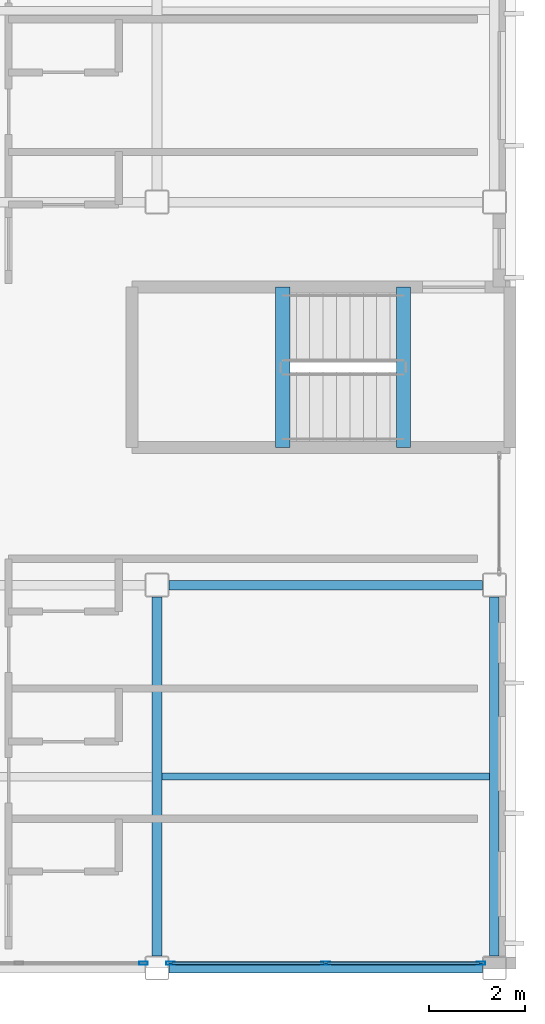
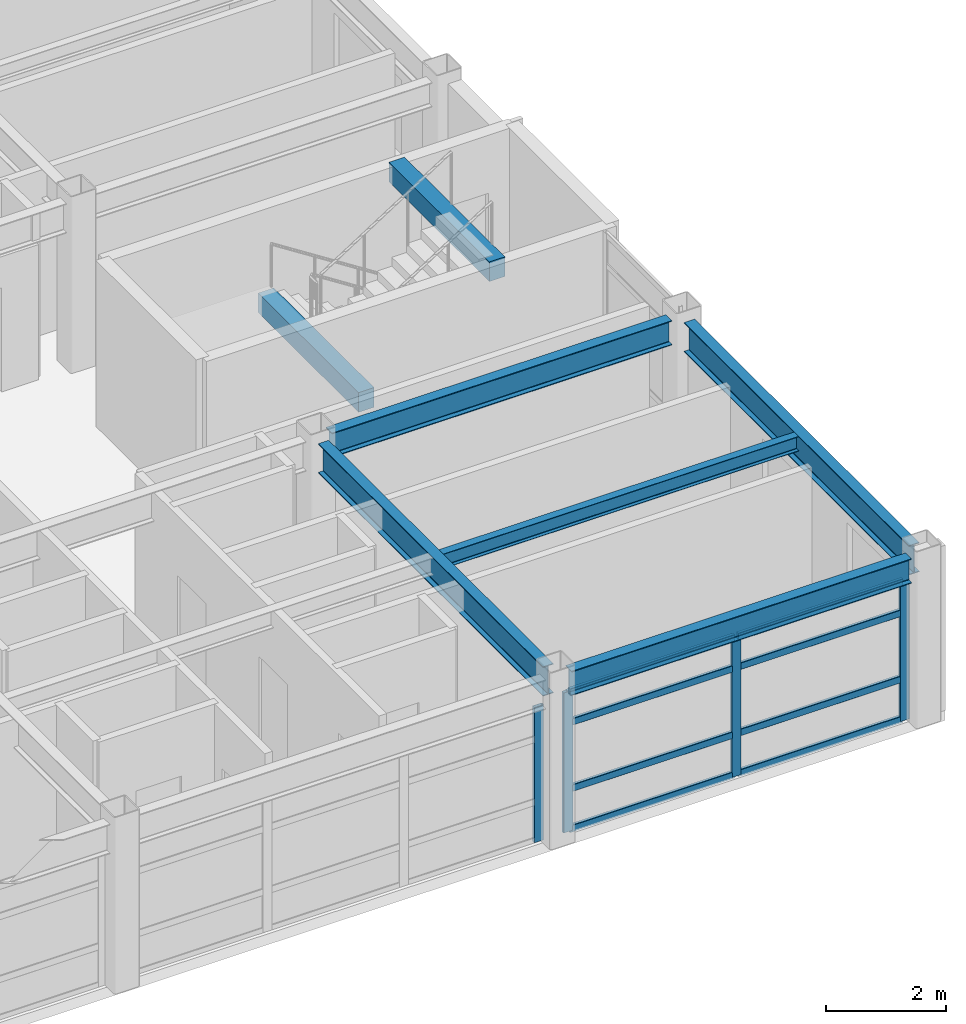
# One storey, part 6 of 35: 12 members, 7 beams, 2 elements without a shape of their own.
"""IFC4 building model written with IfcOpenShell, lengths in metres."""

from ifc_helpers import new_model, si_unit, direction, frame, origin, origin_2d, place, context, subcontext, project, spatial, rectangle, hollow_rectangle, i_section, extrude, material, layer, layer_set, material_profile, profile_set, type_object, element, aggregate, save


model = new_model("IFC4")

# Units and contexts
model_context = context("Model", 3, precision=1e-05, world=origin(), true_north=direction((0.0, 1.0)))
body_context = subcontext(model_context, "Body", "Model", "MODEL_VIEW")
ifc_project = project(units=[si_unit("LENGTHUNIT", "METRE"), si_unit("AREAUNIT", "SQUARE_METRE"), si_unit("VOLUMEUNIT", "CUBIC_METRE"), si_unit("PLANEANGLEUNIT", "RADIAN"), si_unit("MASSUNIT", "GRAM", prefix="KILO")], contexts=[model_context])

# Site, building, storey
site_placement = place(None, origin())
site = spatial("IfcSite", under=ifc_project, at=site_placement, CompositionType="ELEMENT")
building_placement = place(site_placement, origin())
building = spatial("IfcBuilding", under=site, at=building_placement, Name="Kazehara Bluff Congress Hotel", CompositionType="ELEMENT")
storey_placement = place(building_placement, frame((0.0, 0.0, 35.39990234375)))
storey = spatial("IfcBuildingStorey", under=building, at=storey_placement, Name="L08", CompositionType="ELEMENT", Elevation=35.39990234375)

# Curtain wall, member
ifc_material_1 = material(Name="Anodised aluminium", Category="aluminium")
ifc_layer_1 = layer(ifc_material_1, 0.159912109375)
ifc_layer_set_1 = layer_set([ifc_layer_1], Name="Anodised aluminium")
curtain_wall_type_1 = type_object("IfcCurtainWallType", Name="TP-CW-185", PredefinedType="NOTDEFINED", material=ifc_layer_set_1)
curtain_wall_1_placement = place(storey_placement, origin())
curtain_wall_1 = element("IfcCurtainWall", 1, at=curtain_wall_1_placement, inside=storey, type_object=curtain_wall_type_1, Name="L08 curtain wall CW-185 CW-ENC-V5-L08-15630-810", PredefinedType="NOTDEFINED")
ifc_material_2 = material(Name="Anodised aluminium", Category="aluminium")
ifc_material_profile_1 = material_profile(ifc_material_2, hollow_rectangle(XDim=0.06494140625, YDim=0.179931640625, WallThickness=0.00390625, InnerFilletRadius=0.00390625, OuterFilletRadius=0.008056640625, at=origin_2d()))
ifc_profile_set_1 = profile_set([ifc_material_profile_1], Name="Anodised aluminium")
member_type_1 = type_object("IfcMemberType", Name="TP-CWM-02", PredefinedType="MULLION", material=ifc_profile_set_1)
member_1_placement = place(storey_placement, frame((160.217529296875, 8.10009765625, 0.0), z_axis=(0.0, 0.0, 1.0), x_axis=(0.0, -1.0, 0.0)))
member_1 = element("IfcMember", 2, at=member_1_placement, type_object=member_type_1, Name="CW-185 mullion 1", PredefinedType="MULLION", context=body_context, shape_type="SweptSolid", body=[
    extrude(hollow_rectangle(XDim=0.06494140625, YDim=0.179931640625, WallThickness=0.00390625, InnerFilletRadius=0.00390625, OuterFilletRadius=0.008056640625, at=origin_2d()), origin(), (0.0, 0.0, 1.0), 2.755126953125),
])
aggregate(curtain_wall_1, [member_1])

# Curtain wall, members
ifc_material_3 = material(Name="Anodised aluminium", Category="aluminium")
ifc_layer_2 = layer(ifc_material_3, 0.159912109375)
ifc_layer_set_2 = layer_set([ifc_layer_2], Name="Anodised aluminium")
curtain_wall_type_2 = type_object("IfcCurtainWallType", Name="TP-CW-186", PredefinedType="NOTDEFINED", material=ifc_layer_set_2)
curtain_wall_2_placement = place(storey_placement, origin())
curtain_wall_2 = element("IfcCurtainWall", 3, at=curtain_wall_2_placement, inside=storey, type_object=curtain_wall_type_2, Name="L08 curtain wall CW-186 CW-ENC-V5-L08-16402-810", PredefinedType="NOTDEFINED")
member_2_placement = place(storey_placement, frame((167.267578125, 8.10009765625, 0.0), z_axis=(0.0, 0.0, 1.0), x_axis=(0.0, -1.0, 0.0)))
member_2 = element("IfcMember", 4, at=member_2_placement, type_object=member_type_1, Name="CW-186 mullion 1", PredefinedType="MULLION", context=body_context, shape_type="SweptSolid", body=[
    extrude(hollow_rectangle(XDim=0.06494140625, YDim=0.179931640625, WallThickness=0.00390625, InnerFilletRadius=0.00390625, OuterFilletRadius=0.008056640625, at=origin_2d()), origin(), (0.0, 0.0, 1.0), 2.85498046875),
])
member_3_placement = place(storey_placement, frame((164.02490234375, 8.10009765625, 0.0), z_axis=(0.0, 0.0, 1.0), x_axis=(0.0, -1.0, 0.0)))
member_3 = element("IfcMember", 5, at=member_3_placement, type_object=member_type_1, Name="CW-186 mullion 2", PredefinedType="MULLION", context=body_context, shape_type="SweptSolid", body=[
    extrude(hollow_rectangle(XDim=0.06494140625, YDim=0.179931640625, WallThickness=0.00390625, InnerFilletRadius=0.00390625, OuterFilletRadius=0.008056640625, at=origin_2d()), origin(), (0.0, 0.0, 1.0), 2.85498046875),
])
member_4_placement = place(storey_placement, frame((160.782470703125, 8.10009765625, 0.0), z_axis=(0.0, 0.0, 1.0), x_axis=(0.0, -1.0, 0.0)))
member_4 = element("IfcMember", 6, at=member_4_placement, type_object=member_type_1, Name="CW-186 mullion 3", PredefinedType="MULLION", context=body_context, shape_type="SweptSolid", body=[
    extrude(hollow_rectangle(XDim=0.06494140625, YDim=0.179931640625, WallThickness=0.00390625, InnerFilletRadius=0.00390625, OuterFilletRadius=0.008056640625, at=origin_2d()), origin(), (0.0, 0.0, 1.0), 2.85498046875),
])
ifc_material_4 = material(Name="Anodised aluminium", Category="aluminium")
ifc_material_profile_2 = material_profile(ifc_material_4, hollow_rectangle(XDim=0.06494140625, YDim=0.139892578125, WallThickness=0.00390625, InnerFilletRadius=0.00390625, OuterFilletRadius=0.008056640625, at=origin_2d()))
ifc_profile_set_2 = profile_set([ifc_material_profile_2], Name="Anodised aluminium")
member_type_2 = type_object("IfcMemberType", Name="TP-CWT-02", PredefinedType="USERDEFINED", material=ifc_profile_set_2)
member_5_placement = place(storey_placement, frame((167.235107421875, 8.10009765625, 0.03271484375), z_axis=(-1.0, 0.0, 0.0), x_axis=(0.0, -1.0, 0.0)))
member_5 = element("IfcMember", 7, at=member_5_placement, type_object=member_type_2, Name="CW-186 transom 1.1", ObjectType="TRANSOM", PredefinedType="USERDEFINED", context=body_context, shape_type="SweptSolid", body=[
    extrude(hollow_rectangle(XDim=0.06494140625, YDim=0.139892578125, WallThickness=0.00390625, InnerFilletRadius=0.00390625, OuterFilletRadius=0.008056640625, at=origin_2d()), origin(), (0.0, 0.0, 1.0), 3.177490234375),
])
member_6_placement = place(storey_placement, frame((167.235107421875, 8.10009765625, 0.85498046875), z_axis=(-1.0, 0.0, 0.0), x_axis=(0.0, -1.0, 0.0)))
member_6 = element("IfcMember", 8, at=member_6_placement, type_object=member_type_2, Name="CW-186 transom 1.2", ObjectType="TRANSOM", PredefinedType="USERDEFINED", context=body_context, shape_type="SweptSolid", body=[
    extrude(hollow_rectangle(XDim=0.06494140625, YDim=0.139892578125, WallThickness=0.00390625, InnerFilletRadius=0.00390625, OuterFilletRadius=0.008056640625, at=origin_2d()), origin(), (0.0, 0.0, 1.0), 3.177490234375),
])
member_7_placement = place(storey_placement, frame((167.235107421875, 8.10009765625, 2.205078125), z_axis=(-1.0, 0.0, 0.0), x_axis=(0.0, -1.0, 0.0)))
member_7 = element("IfcMember", 9, at=member_7_placement, type_object=member_type_2, Name="CW-186 transom 1.3", ObjectType="TRANSOM", PredefinedType="USERDEFINED", context=body_context, shape_type="SweptSolid", body=[
    extrude(hollow_rectangle(XDim=0.06494140625, YDim=0.139892578125, WallThickness=0.00390625, InnerFilletRadius=0.00390625, OuterFilletRadius=0.008056640625, at=origin_2d()), origin(), (0.0, 0.0, 1.0), 3.177490234375),
])
member_8_placement = place(storey_placement, frame((167.235107421875, 8.10009765625, 2.822509765625), z_axis=(-1.0, 0.0, 0.0), x_axis=(0.0, -1.0, 0.0)))
member_8 = element("IfcMember", 10, at=member_8_placement, type_object=member_type_2, Name="CW-186 transom 1.4", ObjectType="TRANSOM", PredefinedType="USERDEFINED", context=body_context, shape_type="SweptSolid", body=[
    extrude(hollow_rectangle(XDim=0.06494140625, YDim=0.139892578125, WallThickness=0.00390625, InnerFilletRadius=0.00390625, OuterFilletRadius=0.008056640625, at=origin_2d()), origin(), (0.0, 0.0, 1.0), 3.177490234375),
])
member_9_placement = place(storey_placement, frame((163.992431640625, 8.10009765625, 0.03271484375), z_axis=(-1.0, 0.0, 0.0), x_axis=(0.0, -1.0, 0.0)))
member_9 = element("IfcMember", 11, at=member_9_placement, type_object=member_type_2, Name="CW-186 transom 2.1", ObjectType="TRANSOM", PredefinedType="USERDEFINED", context=body_context, shape_type="SweptSolid", body=[
    extrude(hollow_rectangle(XDim=0.06494140625, YDim=0.139892578125, WallThickness=0.00390625, InnerFilletRadius=0.00390625, OuterFilletRadius=0.008056640625, at=origin_2d()), origin(), (0.0, 0.0, 1.0), 3.177490234375),
])
member_10_placement = place(storey_placement, frame((163.992431640625, 8.10009765625, 0.85498046875), z_axis=(-1.0, 0.0, 0.0), x_axis=(0.0, -1.0, 0.0)))
member_10 = element("IfcMember", 12, at=member_10_placement, type_object=member_type_2, Name="CW-186 transom 2.2", ObjectType="TRANSOM", PredefinedType="USERDEFINED", context=body_context, shape_type="SweptSolid", body=[
    extrude(hollow_rectangle(XDim=0.06494140625, YDim=0.139892578125, WallThickness=0.00390625, InnerFilletRadius=0.00390625, OuterFilletRadius=0.008056640625, at=origin_2d()), origin(), (0.0, 0.0, 1.0), 3.177490234375),
])
member_11_placement = place(storey_placement, frame((163.992431640625, 8.10009765625, 2.205078125), z_axis=(-1.0, 0.0, 0.0), x_axis=(0.0, -1.0, 0.0)))
member_11 = element("IfcMember", 13, at=member_11_placement, type_object=member_type_2, Name="CW-186 transom 2.3", ObjectType="TRANSOM", PredefinedType="USERDEFINED", context=body_context, shape_type="SweptSolid", body=[
    extrude(hollow_rectangle(XDim=0.06494140625, YDim=0.139892578125, WallThickness=0.00390625, InnerFilletRadius=0.00390625, OuterFilletRadius=0.008056640625, at=origin_2d()), origin(), (0.0, 0.0, 1.0), 3.177490234375),
])
member_12_placement = place(storey_placement, frame((163.992431640625, 8.10009765625, 2.822509765625), z_axis=(-1.0, 0.0, 0.0), x_axis=(0.0, -1.0, 0.0)))
member_12 = element("IfcMember", 14, at=member_12_placement, type_object=member_type_2, Name="CW-186 transom 2.4", ObjectType="TRANSOM", PredefinedType="USERDEFINED", context=body_context, shape_type="SweptSolid", body=[
    extrude(hollow_rectangle(XDim=0.06494140625, YDim=0.139892578125, WallThickness=0.00390625, InnerFilletRadius=0.00390625, OuterFilletRadius=0.008056640625, at=origin_2d()), origin(), (0.0, 0.0, 1.0), 3.177490234375),
])
aggregate(curtain_wall_2, [member_2, member_3, member_4, member_5, member_6, member_7, member_8, member_9, member_10, member_11, member_12])

# Beams
ifc_material_5 = material(Name="Steel SN490B", Category="steel")
ifc_material_profile_3 = material_profile(ifc_material_5, i_section(OverallWidth=0.199951171875, OverallDepth=0.5, WebThickness=0.010009765625, FlangeThickness=0.01611328125, FilletRadius=0.012939453125, at=origin_2d()))
ifc_profile_set_3 = profile_set([ifc_material_profile_3], Name="Steel SN490B")
beam_type_1 = type_object("IfcBeamType", Name="TP-G-01", PredefinedType="BEAM", material=ifc_profile_set_3)
for number, where, z_axis, x_axis, name in (
    (15, (160.75, 8.0, 3.130126953125), (1.0, 0.0, 0.0), (0.0, 1.0, 0.0), "L08 girder G-01 38"),
    (16, (160.75, 16.0, 3.130126953125), (1.0, 0.0, 0.0), (0.0, 1.0, 0.0), "L08 girder G-01 41"),
):
    element("IfcBeam", number, at=place(storey_placement, frame(where, z_axis=z_axis, x_axis=x_axis)), inside=storey, type_object=beam_type_1, Name=name, PredefinedType="BEAM", context=body_context, shape_type="SweptSolid", body=[
        extrude(i_section(OverallWidth=0.199951171875, OverallDepth=0.5, WebThickness=0.010009765625, FlangeThickness=0.01611328125, FilletRadius=0.012939453125, at=origin_2d()), origin(), (0.0, 0.0, 1.0), 6.550048828125),
    ])
ifc_material_6 = material(Name="Steel SN490B", Category="steel")
ifc_material_profile_4 = material_profile(ifc_material_6, i_section(OverallWidth=0.199951171875, OverallDepth=0.60009765625, WebThickness=0.010986328125, FlangeThickness=0.01708984375, FilletRadius=0.012939453125, at=origin_2d()))
ifc_profile_set_4 = profile_set([ifc_material_profile_4], Name="Steel SN490B")
beam_type_2 = type_object("IfcBeamType", Name="TP-G-02", PredefinedType="BEAM", material=ifc_profile_set_4)
for number, where, z_axis, x_axis, name in (
    (17, (160.5, 8.25, 3.080078125), (0.0, 1.0, 0.0), (-1.0, 0.0, 0.0), "L08 girder G-02 20"),
    (18, (167.550048828125, 8.25, 3.080078125), (0.0, 1.0, 0.0), (-1.0, 0.0, 0.0), "L08 girder G-02 28"),
):
    element("IfcBeam", number, at=place(storey_placement, frame(where, z_axis=z_axis, x_axis=x_axis)), inside=storey, type_object=beam_type_2, Name=name, PredefinedType="BEAM", context=body_context, shape_type="SweptSolid", body=[
        extrude(i_section(OverallWidth=0.199951171875, OverallDepth=0.60009765625, WebThickness=0.010986328125, FlangeThickness=0.01708984375, FilletRadius=0.012939453125, at=origin_2d()), origin(), (0.0, 0.0, 1.0), 7.5),
    ])
ifc_material_7 = material(Name="Steel SN400B", Category="steel")
ifc_material_profile_5 = material_profile(ifc_material_7, i_section(OverallWidth=0.14990234375, OverallDepth=0.300048828125, WebThickness=0.006591796875, FlangeThickness=0.009033203125, FilletRadius=0.012939453125, at=origin_2d()))
ifc_profile_set_5 = profile_set([ifc_material_profile_5], Name="Steel SN400B")
beam_type_3 = type_object("IfcBeamType", Name="TP-J-01", PredefinedType="JOIST", material=ifc_profile_set_5)
beam_placement = place(storey_placement, frame((160.60009765625, 12.0, 3.22998046875), z_axis=(1.0, 0.0, 0.0), x_axis=(0.0, 1.0, 0.0)))
element("IfcBeam", 19, at=beam_placement, inside=storey, type_object=beam_type_3, Name="L08 secondary joist J-01 13", PredefinedType="JOIST", context=body_context, shape_type="SweptSolid", body=[
    extrude(i_section(OverallWidth=0.14990234375, OverallDepth=0.300048828125, WebThickness=0.006591796875, FlangeThickness=0.009033203125, FilletRadius=0.012939453125, at=origin_2d()), origin(), (0.0, 0.0, 1.0), 6.849853515625),
])
ifc_material_8 = material(Name="Concrete C40/50", Category="concrete")
ifc_material_profile_6 = material_profile(ifc_material_8, rectangle(XDim=0.300048828125, YDim=0.39990234375, at=origin_2d()))
ifc_profile_set_6 = profile_set([ifc_material_profile_6], Name="Concrete C40/50")
beam_type_4 = type_object("IfcBeamType", Name="TP-LN-02", PredefinedType="LINTEL", material=ifc_profile_set_6)
for number, where, z_axis, x_axis, name in (
    (20, (163.1298828125, 22.22509765625, 1.420166015625), (0.0, -1.0, 0.0), (1.0, 0.0, 0.0), "L08 ST-10 half-landing support beam 1"),
    (21, (165.64990234375, 22.22509765625, 3.2001953125), (0.0, -1.0, 0.0), (1.0, 0.0, 0.0), "L09 ST-10 stairwell trimmer beam"),
):
    element("IfcBeam", number, at=place(storey_placement, frame(where, z_axis=z_axis, x_axis=x_axis)), inside=storey, type_object=beam_type_4, Name=name, PredefinedType="LINTEL", context=body_context, shape_type="SweptSolid", body=[
        extrude(rectangle(XDim=0.300048828125, YDim=0.39990234375, at=origin_2d()), origin(), (0.0, 0.0, 1.0), 3.35009765625),
    ])

save(model, "model.ifc")
